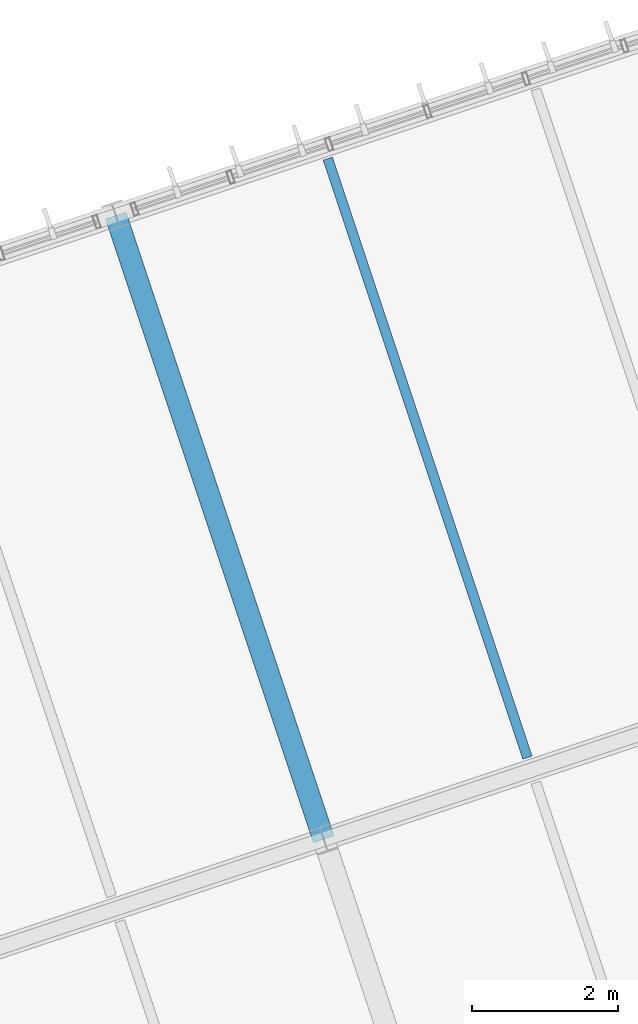
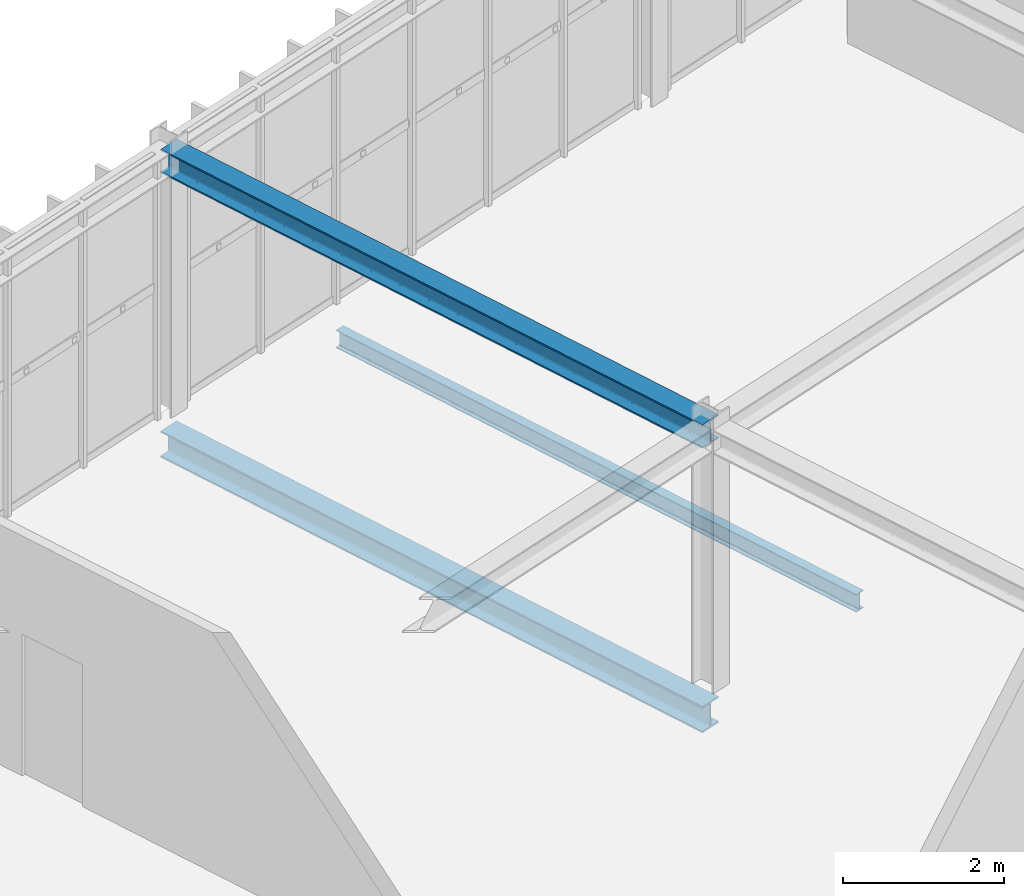
# One storey, part 16 of 61: 3 beams.
"""IFC4 building model written with IfcOpenShell, lengths in metres."""

from ifc_helpers import new_model, si_unit, derived_unit, direction, frame, origin, origin_2d, place, context, subcontext, project, spatial, i_section, extrude, material, material_profile, profile_set, type_object, element, save


model = new_model("IFC4")

# Units and contexts
model_context = context("Model", 3, precision=1e-05, world=origin(), true_north=direction((0.0, 1.0)))
body_context = subcontext(model_context, "Body", "Model", "MODEL_VIEW")
ifc_project = project(units=[si_unit("LENGTHUNIT", "METRE"), si_unit("AREAUNIT", "SQUARE_METRE"), si_unit("VOLUMEUNIT", "CUBIC_METRE"), si_unit("PLANEANGLEUNIT", "RADIAN"), si_unit("MASSUNIT", "GRAM", prefix="KILO"), si_unit("THERMODYNAMICTEMPERATUREUNIT", "KELVIN"), si_unit("TIMEUNIT", "SECOND"), derived_unit("THERMALTRANSMITTANCEUNIT", [(si_unit("MASSUNIT", "GRAM", prefix="KILO"), 1), (si_unit("THERMODYNAMICTEMPERATUREUNIT", "KELVIN"), -1), (si_unit("TIMEUNIT", "SECOND"), -3)])], contexts=[model_context])

# Site, building, storey
site_placement = place(None, origin())
site = spatial("IfcSite", under=ifc_project, at=site_placement, CompositionType="ELEMENT")
building_placement = place(site_placement, origin())
building = spatial("IfcBuilding", under=site, at=building_placement, Name="Cambertide Market Hall", CompositionType="ELEMENT")
storey_placement = place(building_placement, frame((0.0, 0.0, 9.89990234375)))
storey = spatial("IfcBuildingStorey", under=building, at=storey_placement, Name="L03", CompositionType="ELEMENT", Elevation=9.89990234375)

# Beams
ifc_material_1 = material(Name="Steel S355", Category="steel")
ifc_material_profile_1 = material_profile(ifc_material_1, i_section(OverallWidth=0.300048828125, OverallDepth=0.360107421875, WebThickness=0.012451171875, FlangeThickness=0.0224609375, FilletRadius=0.027099609375, at=origin_2d()), Name="HEB 360")
ifc_profile_set_1 = profile_set([ifc_material_profile_1], Name="Steel S355")
beam_type_1 = type_object("IfcBeamType", Name="Exterior Steel Girder HEB 360", PredefinedType="BEAM", material=ifc_profile_set_1)
beam_1_placement = place(storey_placement, frame((125.92236328125, 37.614501953125, 3.820068359375), z_axis=(-0.3162196279, 0.948686010717, 0.0), x_axis=(-0.948686010717, -0.3162196279, 0.0)))
element("IfcBeam", 1, at=beam_1_placement, inside=storey, type_object=beam_type_1, Name="Level 3 Beam BM-V3V-RF-4-3", PredefinedType="BEAM", context=body_context, shape_type="SweptSolid", body=[
    extrude(i_section(OverallWidth=0.300048828125, OverallDepth=0.360107421875, WebThickness=0.012451171875, FlangeThickness=0.0224609375, FilletRadius=0.027099609375, at=origin_2d()), origin(), (0.0, 0.0, 1.0), 9.0),
])
ifc_material_2 = material(Name="Steel S355", Category="steel")
ifc_material_profile_2 = material_profile(ifc_material_2, i_section(OverallWidth=0.300048828125, OverallDepth=0.39990234375, WebThickness=0.013427734375, FlangeThickness=0.02392578125, FilletRadius=0.027099609375, at=origin_2d()), Name="HEB 400")
ifc_profile_set_2 = profile_set([ifc_material_profile_2], Name="Steel S355")
beam_type_2 = type_object("IfcBeamType", Name="Steel Girder HEB 400", PredefinedType="BEAM", material=ifc_profile_set_2)
beam_2_placement = place(storey_placement, frame((125.92236328125, 37.614501953125, -0.474853515625), z_axis=(-0.3162196279, 0.948686010717, 0.0), x_axis=(-0.948686010717, -0.3162196279, 0.0)))
element("IfcBeam", 2, at=beam_2_placement, inside=storey, type_object=beam_type_2, Name="Level 3 Beam BM-V3V-L03-4-3", PredefinedType="BEAM", context=body_context, shape_type="SweptSolid", body=[
    extrude(i_section(OverallWidth=0.300048828125, OverallDepth=0.39990234375, WebThickness=0.013427734375, FlangeThickness=0.02392578125, FilletRadius=0.027099609375, at=origin_2d()), origin(), (0.0, 0.0, 1.0), 9.0),
])
ifc_material_3 = material(Name="Steel S275", Category="steel")
ifc_material_profile_3 = material_profile(ifc_material_3, i_section(OverallWidth=0.135009765625, OverallDepth=0.27001953125, WebThickness=0.006591796875, FlangeThickness=0.01025390625, FilletRadius=0.014892578125, at=origin_2d()), Name="IPE 270")
ifc_profile_set_3 = profile_set([ifc_material_profile_3], Name="Steel S275")
beam_type_3 = type_object("IfcBeamType", Name="Steel Secondary Joist IPE 270", PredefinedType="JOIST", material=ifc_profile_set_3)
beam_3_placement = place(storey_placement, frame((128.71142578125, 38.73388671875, -0.409912109375), z_axis=(-0.316227766017, 0.948683298051, 0.0), x_axis=(-0.948683298051, -0.316227766017, 0.0)))
element("IfcBeam", 3, at=beam_3_placement, inside=storey, type_object=beam_type_3, Name="Level 3 Joist JS-V3-L03-4-3-1", PredefinedType="JOIST", context=body_context, shape_type="SweptSolid", body=[
    extrude(i_section(OverallWidth=0.135009765625, OverallDepth=0.27001953125, WebThickness=0.006591796875, FlangeThickness=0.01025390625, FilletRadius=0.014892578125, at=origin_2d()), origin(), (0.0, 0.0, 1.0), 8.639892578125),
])

save(model, "model.ifc")
